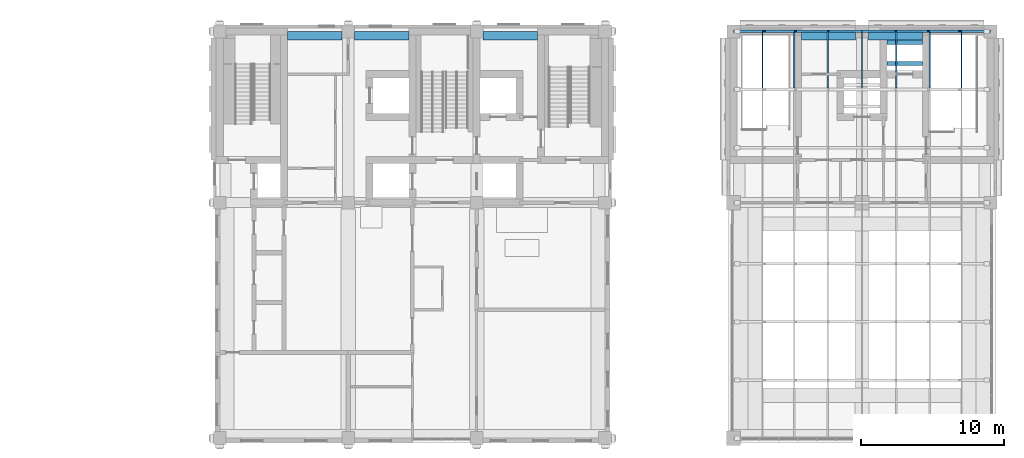
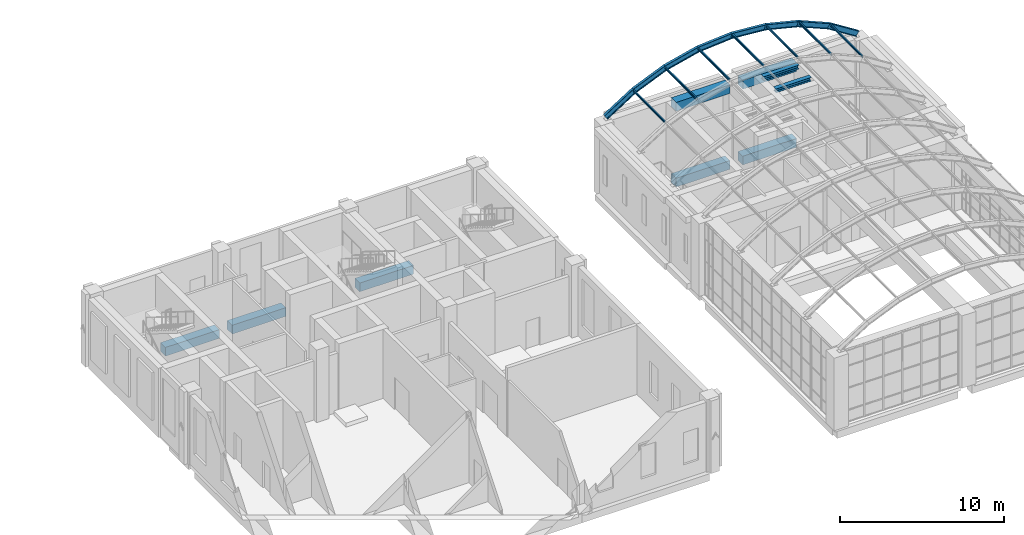
# One storey, part 12 of 39: 15 members, 9 beams.
"""IFC4 building model written with IfcOpenShell, lengths in metres."""

import ifcopenshell
import ifcopenshell.guid

model = None  # the IFC model being written
_history = None  # IfcOwnerHistory: only IFC2X3 demands one
_inside = {}  # id of a spatial element -> (the spatial element, [elements in it])
_under = {}  # id of a project, library or spatial element -> (it, [spatial elements below it])
_declared = {}  # id of a project -> (the project, [libraries it declares])
_typed = {}  # id of a type object -> (the type object, [elements of that type])
_made_of = {}  # id of a material, layer set ... -> (it, [elements and type objects made of it])


def new_model(schema):
    """Start an empty IFC model of exactly this schema.

    Asked for "IFC4X3", IfcOpenShell would pick the latest addendum, in which some entities
    have other attributes; the version numbers below select the first issue.
    IFC2X3 requires an IfcOwnerHistory on every rooted entity: one is made here for all.
    """
    global model, _history
    if schema == "IFC4X3":
        model = ifcopenshell.file(schema_version=(4, 3, 0, 0))
    else:
        model = ifcopenshell.file(schema=schema)
    _inside.clear()
    _under.clear()
    _declared.clear()
    _typed.clear()
    _made_of.clear()
    _history = None
    if model.schema == "IFC2X3":
        org = make("IfcOrganization", Name="unknown")
        user = make(
            "IfcPersonAndOrganization",
            ThePerson=make("IfcPerson", FamilyName="unknown"),
            TheOrganization=org,
        )
        app = make(
            "IfcApplication",
            ApplicationDeveloper=org,
            Version="unknown",
            ApplicationFullName="unknown",
            ApplicationIdentifier="unknown",
        )
        _history = make(
            "IfcOwnerHistory",
            OwningUser=user,
            OwningApplication=app,
            ChangeAction="ADDED",
            CreationDate=0,
        )
    return model


def make(cls, **values):
    """One entity of the class cls with the attributes given. An attribute that is None is left unset."""
    return model.create_entity(
        cls, **{name: value for name, value in values.items() if value is not None}
    )


def rooted(cls, **values):
    """An entity with a GlobalId (a new one), such as an element, a storey or a relation."""
    return make(cls, GlobalId=ifcopenshell.guid.new(), OwnerHistory=_history, **values)


def si_unit(unit_type, name, prefix=None):
    """IfcSIUnit, for example si_unit("LENGTHUNIT", "METRE", prefix="MILLI")."""
    return make("IfcSIUnit", UnitType=unit_type, Prefix=prefix, Name=name)


def assignment(units):
    """IfcUnitAssignment: the units of a project."""
    return None if units is None else make("IfcUnitAssignment", Units=units)


def point(xyz):
    """IfcCartesianPoint."""
    return None if xyz is None else make("IfcCartesianPoint", Coordinates=xyz)


def direction(xyz):
    """IfcDirection."""
    return None if xyz is None else make("IfcDirection", DirectionRatios=xyz)


def frame(location, z_axis=None, x_axis=None):
    """IfcAxis2Placement3D, a coordinate frame: its origin and axes. An axis left out is left unset."""
    return make(
        "IfcAxis2Placement3D",
        Location=point(location),
        Axis=direction(z_axis),
        RefDirection=direction(x_axis),
    )


def frame_2d(location, x_axis=None):
    """IfcAxis2Placement2D, a coordinate frame in the plane: its origin and x axis."""
    return make(
        "IfcAxis2Placement2D", Location=point(location), RefDirection=direction(x_axis)
    )


def origin():
    """The frame at (0, 0, 0) with its axes left unset."""
    return frame((0.0, 0.0, 0.0))


def origin_2d():
    """The frame at (0, 0) in the plane with its x axis left unset."""
    return frame_2d((0.0, 0.0))


def place(relative_to, where):
    """IfcLocalPlacement: puts the frame where relative to a parent placement (None: the world)."""
    return make(
        "IfcLocalPlacement", PlacementRelTo=relative_to, RelativePlacement=where
    )


def context(
    kind, dimensions, precision=None, world=None, true_north=None, identifier=None
):
    """IfcGeometricRepresentationContext, for example the 3D "Model" context."""
    return make(
        "IfcGeometricRepresentationContext",
        ContextIdentifier=identifier,
        ContextType=kind,
        CoordinateSpaceDimension=dimensions,
        Precision=precision,
        WorldCoordinateSystem=world,
        TrueNorth=true_north,
    )


def subcontext(parent, identifier, kind, view, scale=None):
    """IfcGeometricRepresentationSubContext, for example "Body" below "Model"."""
    return make(
        "IfcGeometricRepresentationSubContext",
        ContextIdentifier=identifier,
        ContextType=kind,
        ParentContext=parent,
        TargetScale=scale,
        TargetView=view,
    )


def project(units=None, contexts=None):
    """IfcProject with its units and contexts."""
    return rooted(
        "IfcProject",
        Name="project",
        RepresentationContexts=contexts,
        UnitsInContext=assignment(units),
    )


def spatial(cls, under=None, at=None, **own):
    """A site, building, storey or space (cls), placed at a placement, below another one or the project."""
    s = rooted(cls, ObjectPlacement=at, **own)
    if under is not None:
        _under.setdefault(under.id(), (under, []))[1].append(s)
    return s


def profile(cls, at=None, kind="AREA", **sizes):
    """A parametric profile (cls). Its sizes go by their IFC names, for example OverallWidth=200.0."""
    return make(cls, ProfileType=kind, Position=at, **sizes)


def rectangle(**sizes):
    """IfcRectangleProfileDef."""
    return profile("IfcRectangleProfileDef", **sizes)


def i_section(**sizes):
    """IfcIShapeProfileDef."""
    return profile("IfcIShapeProfileDef", **sizes)


def extrude(swept, where, along, depth):
    """IfcExtrudedAreaSolid: the profile swept, set in the frame where, extruded along a direction by depth."""
    return make(
        "IfcExtrudedAreaSolid",
        SweptArea=swept,
        Position=where,
        ExtrudedDirection=direction(along),
        Depth=depth,
    )


def shape(context_of_items, identifier, shape_type, items):
    """IfcShapeRepresentation: the items that make up one representation, for example the "Body"."""
    return make(
        "IfcShapeRepresentation",
        ContextOfItems=context_of_items,
        RepresentationIdentifier=identifier,
        RepresentationType=shape_type,
        Items=items,
    )


def material(Name=None, Category=None):
    """IfcMaterial."""
    return make("IfcMaterial", Name=Name, Category=Category)


def material_profile(
    of_material, cross_section, Name=None, Category=None, Priority=None
):
    """IfcMaterialProfile: a cross section and its material."""
    return make(
        "IfcMaterialProfile",
        Name=Name,
        Material=of_material,
        Profile=cross_section,
        Priority=Priority,
        Category=Category,
    )


def profile_set(profiles, Name=None, composite=None):
    """IfcMaterialProfileSet."""
    return make(
        "IfcMaterialProfileSet",
        Name=Name,
        MaterialProfiles=profiles,
        CompositeProfile=composite,
    )


def made_of(thing, what):
    """Note that an element or type object is made of a material, layer set ...; save() writes the relation."""
    if what is not None:
        _made_of.setdefault(what.id(), (what, []))[1].append(thing)
    return thing


def type_object(cls, material=None, **own):
    """A type object (cls), such as IfcWallType, which elements share."""
    return made_of(rooted(cls, **own), material)


def element(
    cls,
    number,
    at=None,
    inside=None,
    cuts=None,
    type_object=None,
    material=None,
    context=None,
    identifier="Body",
    shape_type=None,
    held_by="IfcProductDefinitionShape",
    body=None,
    shapes=None,
    **own,
):
    """One element of the class cls, such as IfcWall. Its Tag is "e" and its number.

    at: its placement. inside: the storey or other place that contains it. cuts: it is an
    opening in that element (IfcRelVoidsElement). A single representation is given by context,
    identifier, shape_type and body (its items); several are given by shapes. held_by: the class
    of the entity that holds the representations. save() writes the other relations.
    """
    e = rooted(cls, Tag="e%d" % number, ObjectPlacement=at, **own)
    if body is not None:
        shapes = [shape(context, identifier, shape_type, body)]
    if shapes is not None:
        e.Representation = make(held_by, Representations=shapes)
    if inside is not None:
        _inside.setdefault(inside.id(), (inside, []))[1].append(e)
    if cuts is not None:
        rooted(
            "IfcRelVoidsElement", RelatingBuildingElement=cuts, RelatedOpeningElement=e
        )
    if type_object is not None:
        _typed.setdefault(type_object.id(), (type_object, []))[1].append(e)
    return made_of(e, material)


def aggregate(whole, parts):
    """IfcRelAggregates: a whole, such as a stair, and the parts it consists of."""
    return rooted("IfcRelAggregates", RelatingObject=whole, RelatedObjects=parts)


def save(model, path):
    """Write the relations noted so far, then the file.

    IfcRelAggregates (storeys below a building ...), IfcRelContainedInSpatialStructure (elements
    in a storey), IfcRelDefinesByType, IfcRelAssociatesMaterial and IfcRelDeclares: one each for
    every whole, place, type object, material and project.
    """
    for whole, parts in _under.values():
        aggregate(whole, parts)
    for where, things in _inside.values():
        rooted(
            "IfcRelContainedInSpatialStructure",
            RelatedElements=things,
            RelatingStructure=where,
        )
    for kind, things in _typed.values():
        rooted("IfcRelDefinesByType", RelatedObjects=things, RelatingType=kind)
    for what, things in _made_of.values():
        rooted("IfcRelAssociatesMaterial", RelatedObjects=things, RelatingMaterial=what)
    for by, libraries in _declared.values():
        rooted("IfcRelDeclares", RelatingContext=by, RelatedDefinitions=libraries)
    model.write(path)


model = new_model("IFC4")

# Units and contexts
model_context = context("Model", 3, precision=1e-05, world=origin(), true_north=direction((0.0, 1.0)))
body_context = subcontext(model_context, "Body", "Model", "MODEL_VIEW")
ifc_project = project(units=[si_unit("LENGTHUNIT", "METRE"), si_unit("AREAUNIT", "SQUARE_METRE"), si_unit("VOLUMEUNIT", "CUBIC_METRE"), si_unit("PLANEANGLEUNIT", "RADIAN"), si_unit("MASSUNIT", "GRAM", prefix="KILO")], contexts=[model_context])

# Site, building, storey
site_placement = place(None, origin())
site = spatial("IfcSite", under=ifc_project, at=site_placement, CompositionType="ELEMENT")
building_placement = place(site_placement, origin())
building = spatial("IfcBuilding", under=site, at=building_placement, Name="Aurelan Courthouse", CompositionType="ELEMENT")
storey_placement = place(building_placement, frame((0.0, 0.0, 28.199951171875)))
storey = spatial("IfcBuildingStorey", under=building, at=storey_placement, Name="L05", CompositionType="ELEMENT", Elevation=28.199951171875)

# Beams
ifc_material_1 = material(Name="Steel S355", Category="steel")
ifc_material_profile_1 = material_profile(ifc_material_1, i_section(OverallWidth=0.300048828125, OverallDepth=0.2900390625, WebThickness=0.008544921875, FlangeThickness=0.013916015625, FilletRadius=0.027099609375, at=origin_2d()), Name="HEA 300")
ifc_profile_set_1 = profile_set([ifc_material_profile_1], Name="Steel S355")
beam_type_1 = type_object("IfcBeamType", Name="Hoist beam HEA 300", PredefinedType="BEAM", material=ifc_profile_set_1)
for number, where, z_axis, x_axis, name in (
    (1, (82.75, 63.75, 5.255126953125), (1.0, 0.0, 0.0), (0.0, 1.0, 0.0), "Hoist beam HB-V3-F1-1"),
    (2, (82.75, 65.25, 5.255126953125), (1.0, 0.0, 0.0), (0.0, 1.0, 0.0), "Hoist beam HB-V3-F1-2"),
):
    element("IfcBeam", number, at=place(storey_placement, frame(where, z_axis=z_axis, x_axis=x_axis)), inside=storey, type_object=beam_type_1, Name=name, PredefinedType="BEAM", context=body_context, shape_type="SweptSolid", body=[
        extrude(i_section(OverallWidth=0.300048828125, OverallDepth=0.2900390625, WebThickness=0.008544921875, FlangeThickness=0.013916015625, FilletRadius=0.027099609375, at=origin_2d()), origin(), (0.0, 0.0, 1.0), 2.5),
    ])
ifc_material_2 = material(Name="Concrete C50", Category="concrete")
ifc_material_profile_2 = material_profile(ifc_material_2, rectangle(XDim=0.60009765625, YDim=0.64990234375, at=origin_2d()), Name="RC 600 x 650")
ifc_profile_set_2 = profile_set([ifc_material_profile_2], Name="Concrete C50")
beam_type_2 = type_object("IfcBeamType", Name="RC spandrel beam 600 x 650", PredefinedType="SPANDREL", material=ifc_profile_set_2)
for number, where, z_axis, x_axis, name in (
    (3, (40.75, 65.699951171875, -0.574951171875), (1.0, 0.0, 0.0), (0.0, 1.0, 0.0), "Spandrel beam SB-F-5-6"),
    (4, (45.449951171875, 65.699951171875, -0.574951171875), (1.0, 0.0, 0.0), (0.0, 1.0, 0.0), "Spandrel beam SB-F-6-7"),
    (5, (54.449951171875, 65.699951171875, -0.574951171875), (1.0, 0.0, 0.0), (0.0, 1.0, 0.0), "Spandrel beam SB-F-7-8"),
    (6, (76.75, 65.699951171875, -0.574951171875), (1.0, 0.0, 0.0), (0.0, 1.0, 0.0), "Spandrel beam SB-F-9-10"),
    (7, (81.449951171875, 65.699951171875, -0.574951171875), (1.0, 0.0, 0.0), (0.0, 1.0, 0.0), "Spandrel beam SB-F-10-11"),
    (8, (76.75, 65.699951171875, 5.074951171875), (1.0, 0.0, 0.0), (0.0, 1.0, 0.0), "Spandrel beam SB-F-9-10R"),
    (9, (81.449951171875, 65.699951171875, 5.074951171875), (1.0, 0.0, 0.0), (0.0, 1.0, 0.0), "Spandrel beam SB-F-10-11R"),
):
    element("IfcBeam", number, at=place(storey_placement, frame(where, z_axis=z_axis, x_axis=x_axis)), inside=storey, type_object=beam_type_2, Name=name, PredefinedType="SPANDREL", context=body_context, shape_type="SweptSolid", body=[
        extrude(rectangle(XDim=0.60009765625, YDim=0.64990234375, at=origin_2d()), origin(), (0.0, 0.0, 1.0), 3.800048828125),
    ])

# Members
ifc_material_profile_3 = material_profile(ifc_material_1, i_section(OverallWidth=0.08203125, OverallDepth=0.159912109375, WebThickness=0.0048828125, FlangeThickness=0.00732421875, FilletRadius=0.009033203125, at=origin_2d()), Name="IPE 160")
ifc_profile_set_3 = profile_set([ifc_material_profile_3], Name="Steel S355")
member_type_1 = type_object("IfcMemberType", Name="Vault purlin IPE 160", PredefinedType="PURLIN", material=ifc_profile_set_3)
for number, where, z_axis, x_axis, name in (
    (10, (74.038330078125, 62.0185546875, 6.93798828125), (0.0, 1.0, 0.0), (-1.0, 0.0, 0.0), "Vault purlin VP 1-7"),
    (11, (76.256591796875, 62.0185546875, 7.89013671875), (0.0, 1.0, 0.0), (-1.0, 0.0, 0.0), "Vault purlin VP 2-7"),
    (12, (78.597412109375, 62.0185546875, 8.473388671875), (0.0, 1.0, 0.0), (-1.0, 0.0, 0.0), "Vault purlin VP 3-7"),
    (13, (81.0, 62.0185546875, 8.673828125), (0.0, 1.0, 0.0), (-1.0, 0.0, 0.0), "Vault purlin VP 4-7"),
    (14, (83.402587890625, 62.0185546875, 8.473388671875), (0.0, 1.0, 0.0), (-1.0, 0.0, 0.0), "Vault purlin VP 5-7"),
    (15, (85.743408203125, 62.0185546875, 7.89013671875), (0.0, 1.0, 0.0), (-1.0, 0.0, 0.0), "Vault purlin VP 6-7"),
    (16, (87.961669921875, 62.0185546875, 6.93798828125), (0.0, 1.0, 0.0), (-1.0, 0.0, 0.0), "Vault purlin VP 7-7"),
):
    element("IfcMember", number, at=place(storey_placement, frame(where, z_axis=z_axis, x_axis=x_axis)), inside=storey, type_object=member_type_1, Name=name, PredefinedType="PURLIN", context=body_context, shape_type="SweptSolid", body=[
        extrude(i_section(OverallWidth=0.08203125, OverallDepth=0.159912109375, WebThickness=0.0048828125, FlangeThickness=0.00732421875, FilletRadius=0.009033203125, at=origin_2d()), origin(), (0.0, 0.0, 1.0), 3.891357421875),
    ])
ifc_material_profile_4 = material_profile(ifc_material_1, i_section(OverallWidth=0.179931640625, OverallDepth=0.39990234375, WebThickness=0.008544921875, FlangeThickness=0.013427734375, FilletRadius=0.02099609375, at=origin_2d()), Name="IPE 400")
ifc_profile_set_4 = profile_set([ifc_material_profile_4], Name="Steel S355")
member_type_2 = type_object("IfcMemberType", Name="Vault rib IPE 400", PredefinedType="RAFTER", material=ifc_profile_set_4)
for number, where, z_axis, x_axis, name in (
    (17, (72.106689453125, 66.0, 5.589111328125), (0.84565732059, 0.0, 0.533726237067), (0.0, 1.0, 0.0), "Vault rib VR-8 segment 1"),
    (18, (74.11669921875, 66.0, 6.86083984375), (0.920205091929, 0.0, 0.391436570582), (0.0, 1.0, 0.0), "Vault rib VR-8 segment 2"),
):
    element("IfcMember", number, at=place(storey_placement, frame(where, z_axis=z_axis, x_axis=x_axis)), inside=storey, type_object=member_type_2, Name=name, PredefinedType="RAFTER", context=body_context, shape_type="SweptSolid", body=[
        extrude(i_section(OverallWidth=0.179931640625, OverallDepth=0.39990234375, WebThickness=0.008544921875, FlangeThickness=0.013427734375, FilletRadius=0.02099609375, at=origin_2d()), origin(), (0.0, 0.0, 1.0), 2.41064453125),
    ])
member_1_placement = place(storey_placement, frame((76.304443359375, 66.0, 7.794189453125), z_axis=(0.971011985674, 0.0, 0.239030800687), x_axis=(0.0, 1.0, 0.0)))
element("IfcMember", 19, at=member_1_placement, inside=storey, type_object=member_type_2, Name="Vault rib VR-8 segment 3", PredefinedType="RAFTER", context=body_context, shape_type="SweptSolid", body=[
    extrude(i_section(OverallWidth=0.179931640625, OverallDepth=0.39990234375, WebThickness=0.008544921875, FlangeThickness=0.013427734375, FilletRadius=0.02099609375, at=origin_2d()), origin(), (0.0, 0.0, 1.0), 2.410400390625),
])
for number, where, z_axis, x_axis, name in (
    (20, (78.61328125, 66.0, 8.365234375), (0.996769711299, 0.0, 0.080312780031), (0.0, 1.0, 0.0), "Vault rib VR-8 segment 4"),
    (21, (80.98388671875, 66.0, 8.558837890625), (0.996769711299, 0.0, -0.080312780031), (0.0, 1.0, 0.0), "Vault rib VR-8 segment 5"),
):
    element("IfcMember", number, at=place(storey_placement, frame(where, z_axis=z_axis, x_axis=x_axis)), inside=storey, type_object=member_type_2, Name=name, PredefinedType="RAFTER", context=body_context, shape_type="SweptSolid", body=[
        extrude(i_section(OverallWidth=0.179931640625, OverallDepth=0.39990234375, WebThickness=0.008544921875, FlangeThickness=0.013427734375, FilletRadius=0.02099609375, at=origin_2d()), origin(), (0.0, 0.0, 1.0), 2.41064453125),
    ])
member_2_placement = place(storey_placement, frame((83.35498046875, 66.0, 8.370361328125), z_axis=(0.971011985674, 0.0, -0.239030800687), x_axis=(0.0, 1.0, 0.0)))
element("IfcMember", 22, at=member_2_placement, inside=storey, type_object=member_type_2, Name="Vault rib VR-8 segment 6", PredefinedType="RAFTER", context=body_context, shape_type="SweptSolid", body=[
    extrude(i_section(OverallWidth=0.179931640625, OverallDepth=0.39990234375, WebThickness=0.008544921875, FlangeThickness=0.013427734375, FilletRadius=0.02099609375, at=origin_2d()), origin(), (0.0, 0.0, 1.0), 2.410400390625),
])
for number, where, z_axis, x_axis, name in (
    (23, (85.6650390625, 66.0, 7.804443359375), (0.920205091929, 0.0, -0.391436570582), (0.0, 1.0, 0.0), "Vault rib VR-8 segment 7"),
    (24, (87.854736328125, 66.0, 6.875732421875), (0.84565732059, 0.0, -0.533726237067), (0.0, 1.0, 0.0), "Vault rib VR-8 segment 8"),
):
    element("IfcMember", number, at=place(storey_placement, frame(where, z_axis=z_axis, x_axis=x_axis)), inside=storey, type_object=member_type_2, Name=name, PredefinedType="RAFTER", context=body_context, shape_type="SweptSolid", body=[
        extrude(i_section(OverallWidth=0.179931640625, OverallDepth=0.39990234375, WebThickness=0.008544921875, FlangeThickness=0.013427734375, FilletRadius=0.02099609375, at=origin_2d()), origin(), (0.0, 0.0, 1.0), 2.41064453125),
    ])

save(model, "model.ifc")
